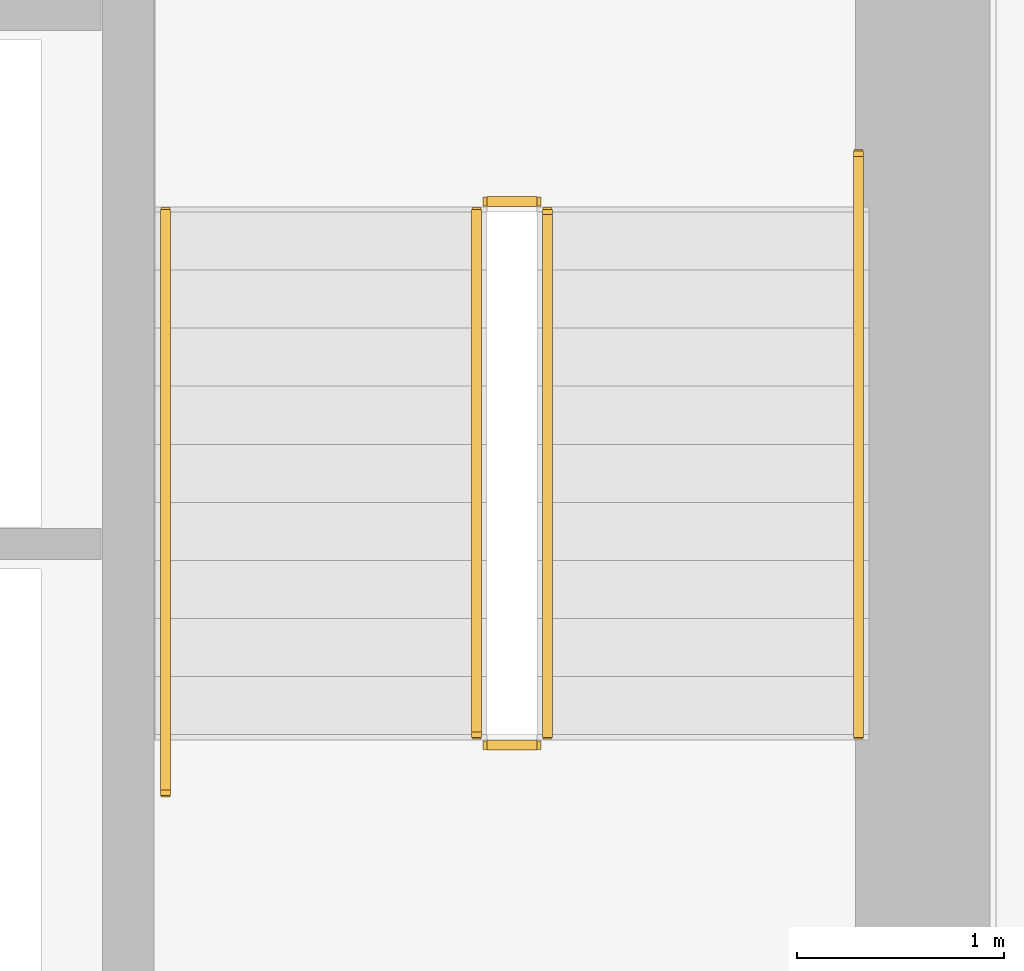
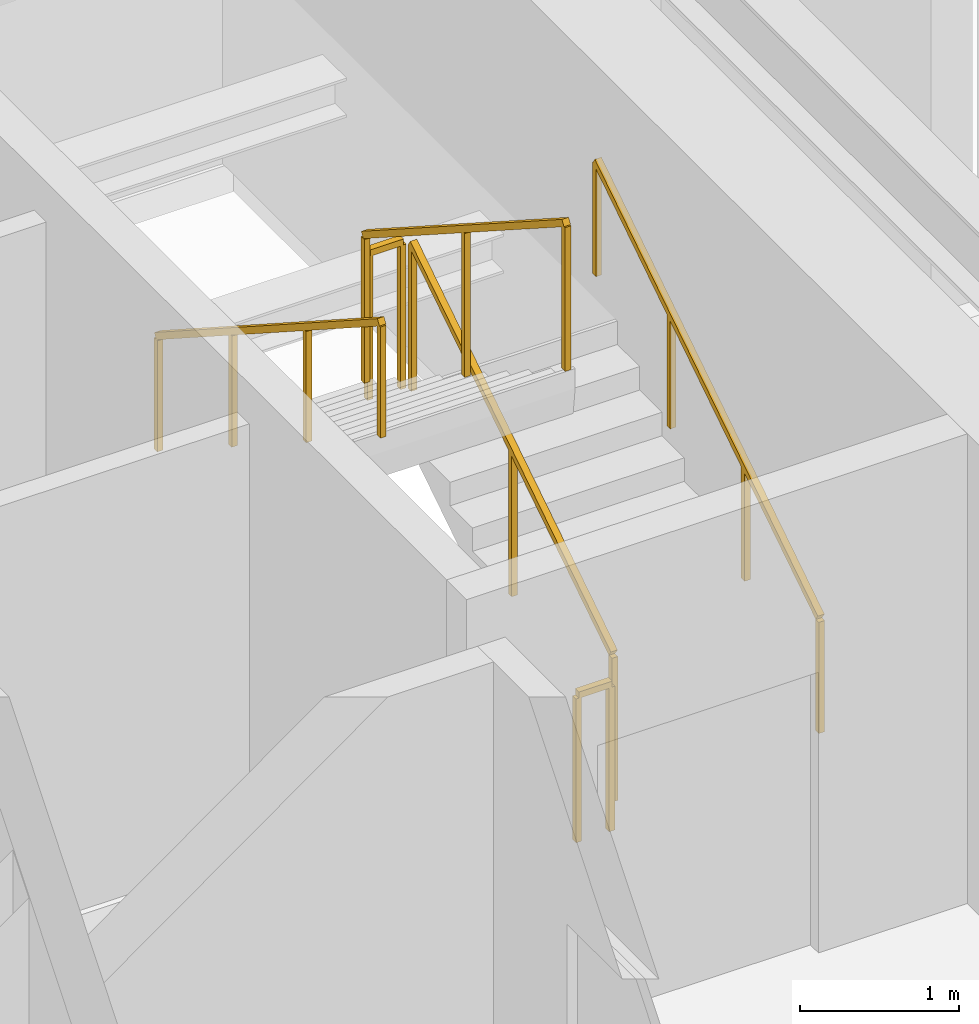
# One storey, part 27 of 28: 6 railings.
"""IFC4 building model written with IfcOpenShell, lengths in metres."""

from ifc_helpers import new_model, si_unit, direction, frame, origin, origin_2d, place, context, subcontext, project, spatial, rectangle, extrude, material, type_object, element, save


model = new_model("IFC4")

# Units and contexts
model_context = context("Model", 3, precision=1e-05, world=origin(), true_north=direction((0.0, 1.0)))
body_context = subcontext(model_context, "Body", "Model", "MODEL_VIEW")
ifc_project = project(units=[si_unit("LENGTHUNIT", "METRE"), si_unit("AREAUNIT", "SQUARE_METRE"), si_unit("VOLUMEUNIT", "CUBIC_METRE"), si_unit("PLANEANGLEUNIT", "RADIAN"), si_unit("MASSUNIT", "GRAM", prefix="KILO")], contexts=[model_context])

# Site, building, storey
site_placement = place(None, origin())
site = spatial("IfcSite", under=ifc_project, at=site_placement, CompositionType="ELEMENT")
building_placement = place(site_placement, origin())
building = spatial("IfcBuilding", under=site, at=building_placement, Name="Sumidabori Civic Tower", CompositionType="ELEMENT")
storey_placement = place(building_placement, frame((0.0, 0.0, 185.60009765625)))
storey = spatial("IfcBuildingStorey", under=building, at=storey_placement, Name="L48", CompositionType="ELEMENT", Elevation=185.60009765625)

# Railings
ifc_material_1 = material(Name="Stainless Steel Hairline Finish", Category="steel")
railing_type_1 = type_object("IfcRailingType", Name="RL-HANDRAIL", PredefinedType="HANDRAIL", material=ifc_material_1)
railing_1_placement = place(storey_placement, frame((15.2900390625, 16.0, 0.179931640625)))
element("IfcRailing", 1, at=railing_1_placement, inside=storey, type_object=railing_type_1, Name="L48 ST-2 stair handrail 1", PredefinedType="HANDRAIL", context=body_context, shape_type="SweptSolid", body=[
    extrude(rectangle(XDim=0.048095703125, YDim=0.048095703125, at=origin_2d()), frame((0.0, 0.0, 0.8759765625), z_axis=(0.0, 0.840675598268, 0.541539046124), x_axis=(-1.0, 0.0, 0.0)), (0.0, 0.0, 1.0), 3.330810546875),
    extrude(rectangle(XDim=0.0419921875, YDim=0.0419921875, at=origin_2d()), origin(), (0.0, 0.0, 1.0), 0.851806640625),
    extrude(rectangle(XDim=0.0419921875, YDim=0.0419921875, at=origin_2d()), frame((0.0, 0.933349609375, 0.601318359375)), (0.0, 0.0, 1.0), 0.851806640625),
    extrude(rectangle(XDim=0.0419921875, YDim=0.0419921875, at=origin_2d()), frame((0.0, 1.86669921875, 1.202392578125)), (0.0, 0.0, 1.0), 0.851806640625),
    extrude(rectangle(XDim=0.0419921875, YDim=0.0419921875, at=origin_2d()), frame((0.0, 2.800048828125, 1.8037109375)), (0.0, 0.0, 1.0), 0.851806640625),
])
railing_2_placement = place(storey_placement, frame((11.949951171875, 18.52001953125, 1.97998046875)))
element("IfcRailing", 2, at=railing_2_placement, inside=storey, type_object=railing_type_1, Name="L48 ST-2 stair handrail 2", PredefinedType="HANDRAIL", context=body_context, shape_type="SweptSolid", body=[
    extrude(rectangle(XDim=0.048095703125, YDim=0.048095703125, at=origin_2d()), frame((0.0, 0.0, 0.8759765625), z_axis=(0.0, -0.840675598268, 0.541539046124), x_axis=(1.0, 0.0, 0.0)), (0.0, 0.0, 1.0), 3.330810546875),
    extrude(rectangle(XDim=0.0419921875, YDim=0.0419921875, at=origin_2d()), origin(), (0.0, 0.0, 1.0), 0.851806640625),
    extrude(rectangle(XDim=0.0419921875, YDim=0.0419921875, at=origin_2d()), frame((0.0, -0.933349609375, 0.601318359375)), (0.0, 0.0, 1.0), 0.851806640625),
    extrude(rectangle(XDim=0.0419921875, YDim=0.0419921875, at=origin_2d()), frame((0.0, -1.86669921875, 1.202392578125)), (0.0, 0.0, 1.0), 0.851806640625),
    extrude(rectangle(XDim=0.0419921875, YDim=0.0419921875, at=origin_2d()), frame((0.0, -2.800048828125, 1.8037109375)), (0.0, 0.0, 1.0), 0.851806640625),
])
ifc_material_2 = material(Name="Steel SN490", Category="steel")
railing_type_2 = type_object("IfcRailingType", Name="RL-STAIR-GUARD", PredefinedType="GUARDRAIL", material=ifc_material_2)
railing_3_placement = place(storey_placement, frame((13.7900390625, 16.0, 0.179931640625)))
element("IfcRailing", 3, at=railing_3_placement, inside=storey, type_object=railing_type_2, Name="L48 ST-2 stair guard 1", PredefinedType="GUARDRAIL", context=body_context, shape_type="SweptSolid", body=[
    extrude(rectangle(XDim=0.048095703125, YDim=0.048095703125, at=origin_2d()), frame((0.0, 0.0, 1.1259765625), z_axis=(0.0, 0.841199657755, 0.540724639528), x_axis=(-1.0, 0.0, 0.0)), (0.0, 0.0, 1.0), 2.995849609375),
    extrude(rectangle(XDim=0.0419921875, YDim=0.0419921875, at=origin_2d()), origin(), (0.0, 0.0, 1.0), 1.101806640625),
    extrude(rectangle(XDim=0.0419921875, YDim=0.0419921875, at=origin_2d()), frame((0.0, 1.260009765625, 0.81005859375)), (0.0, 0.0, 1.0), 1.101806640625),
    extrude(rectangle(XDim=0.0419921875, YDim=0.0419921875, at=origin_2d()), frame((0.0, 2.52001953125, 1.619873046875)), (0.0, 0.0, 1.0), 1.101806640625),
])
railing_4_placement = place(storey_placement, frame((13.739990234375, 18.570068359375, 1.7998046875)))
element("IfcRailing", 4, at=railing_4_placement, inside=storey, type_object=railing_type_2, Name="L48 ST-2 stair guard 2", PredefinedType="GUARDRAIL", context=body_context, shape_type="SweptSolid", body=[
    extrude(rectangle(XDim=0.048095703125, YDim=0.048095703125, at=origin_2d()), frame((0.0, 0.0, 1.1259765625), z_axis=(-1.0, 0.0, 0.0), x_axis=(0.0, -1.0, 0.0)), (0.0, 0.0, 1.0), 0.239990234375),
    extrude(rectangle(XDim=0.0419921875, YDim=0.0419921875, at=origin_2d()), origin(), (0.0, 0.0, 1.0), 1.101806640625),
    extrude(rectangle(XDim=0.0419921875, YDim=0.0419921875, at=origin_2d()), frame((-0.239990234375, 0.0, 0.0)), (0.0, 0.0, 1.0), 1.101806640625),
])
railing_5_placement = place(storey_placement, frame((13.449951171875, 18.52001953125, 1.97998046875)))
element("IfcRailing", 5, at=railing_5_placement, inside=storey, type_object=railing_type_2, Name="L48 ST-2 stair guard 3", PredefinedType="GUARDRAIL", context=body_context, shape_type="SweptSolid", body=[
    extrude(rectangle(XDim=0.048095703125, YDim=0.048095703125, at=origin_2d()), frame((0.0, 0.0, 1.1259765625), z_axis=(0.0, -0.841199657755, 0.540724639528), x_axis=(1.0, 0.0, 0.0)), (0.0, 0.0, 1.0), 2.995849609375),
    extrude(rectangle(XDim=0.0419921875, YDim=0.0419921875, at=origin_2d()), origin(), (0.0, 0.0, 1.0), 1.101806640625),
    extrude(rectangle(XDim=0.0419921875, YDim=0.0419921875, at=origin_2d()), frame((0.0, -1.260009765625, 0.81005859375)), (0.0, 0.0, 1.0), 1.101806640625),
    extrude(rectangle(XDim=0.0419921875, YDim=0.0419921875, at=origin_2d()), frame((0.0, -2.52001953125, 1.619873046875)), (0.0, 0.0, 1.0), 1.101806640625),
])
railing_6_placement = place(storey_placement, frame((13.739990234375, 15.949951171875, 0.0)))
element("IfcRailing", 6, at=railing_6_placement, inside=storey, type_object=railing_type_2, Name="L48 ST-2 stair guard 4", PredefinedType="GUARDRAIL", context=body_context, shape_type="SweptSolid", body=[
    extrude(rectangle(XDim=0.048095703125, YDim=0.048095703125, at=origin_2d()), frame((0.0, 0.0, 1.1259765625), z_axis=(-1.0, 0.0, 0.0), x_axis=(0.0, -1.0, 0.0)), (0.0, 0.0, 1.0), 0.239990234375),
    extrude(rectangle(XDim=0.0419921875, YDim=0.0419921875, at=origin_2d()), origin(), (0.0, 0.0, 1.0), 1.101806640625),
    extrude(rectangle(XDim=0.0419921875, YDim=0.0419921875, at=origin_2d()), frame((-0.239990234375, 0.0, 0.0)), (0.0, 0.0, 1.0), 1.101806640625),
])

save(model, "model.ifc")
